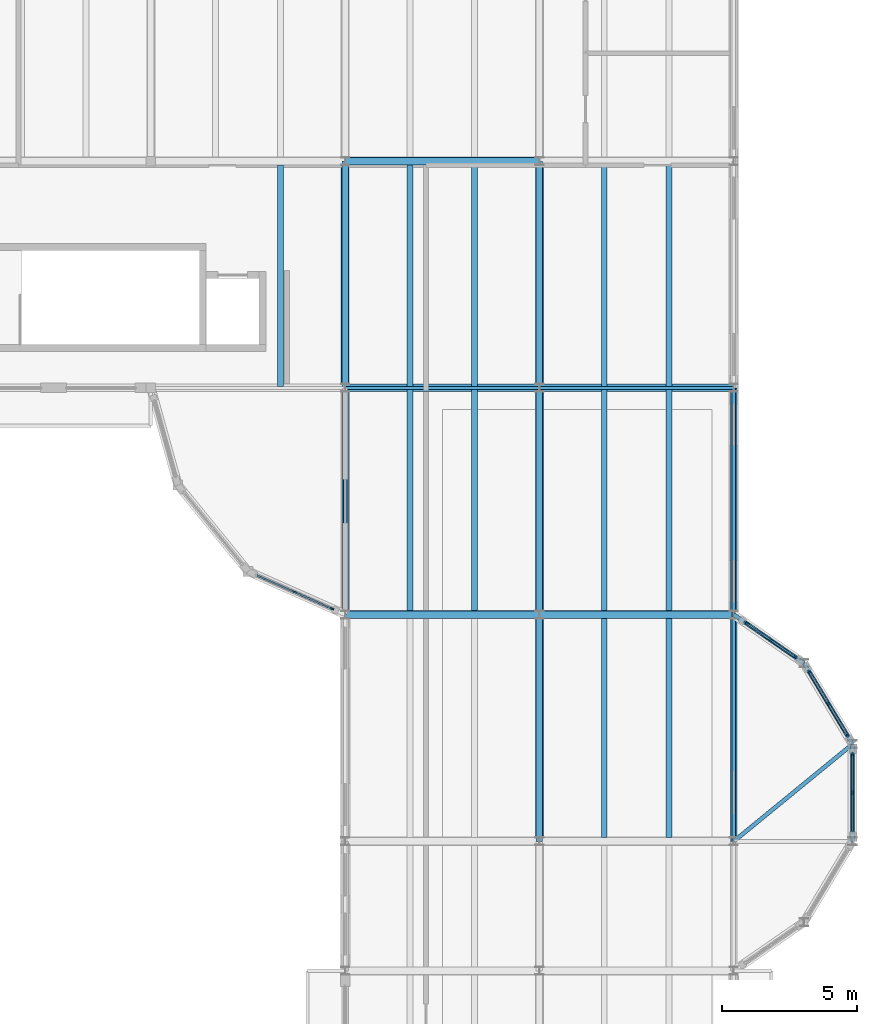
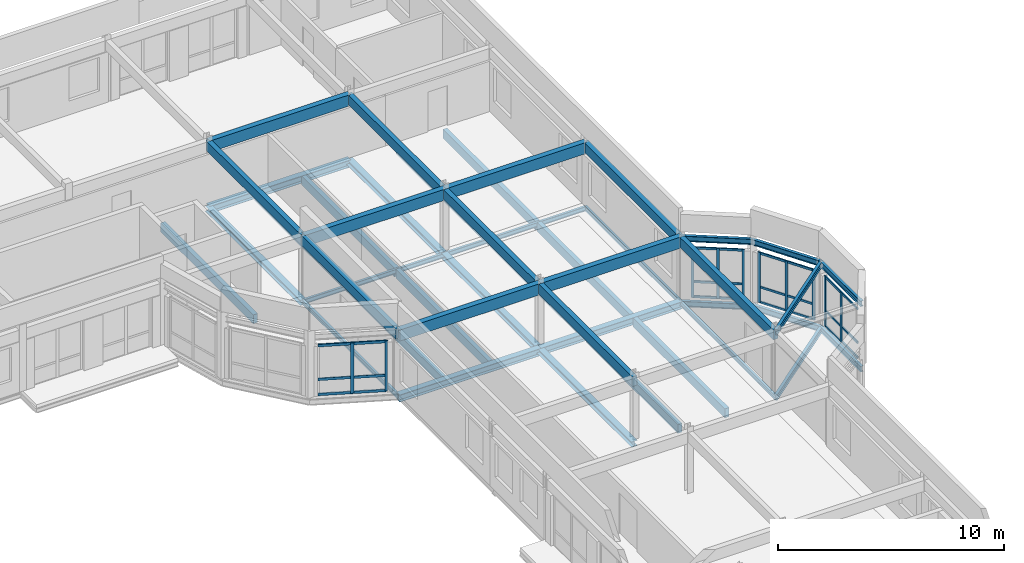
# One storey, part 11 of 21: 43 beams, 22 members, 4 elements without a shape of their own.
"""IFC4 building model written with IfcOpenShell, lengths in metres."""

import ifcopenshell
import ifcopenshell.guid

model = None  # the IFC model being written
_history = None  # IfcOwnerHistory: only IFC2X3 demands one
_inside = {}  # id of a spatial element -> (the spatial element, [elements in it])
_under = {}  # id of a project, library or spatial element -> (it, [spatial elements below it])
_declared = {}  # id of a project -> (the project, [libraries it declares])
_typed = {}  # id of a type object -> (the type object, [elements of that type])
_made_of = {}  # id of a material, layer set ... -> (it, [elements and type objects made of it])


def new_model(schema):
    """Start an empty IFC model of exactly this schema.

    Asked for "IFC4X3", IfcOpenShell would pick the latest addendum, in which some entities
    have other attributes; the version numbers below select the first issue.
    IFC2X3 requires an IfcOwnerHistory on every rooted entity: one is made here for all.
    """
    global model, _history
    if schema == "IFC4X3":
        model = ifcopenshell.file(schema_version=(4, 3, 0, 0))
    else:
        model = ifcopenshell.file(schema=schema)
    _inside.clear()
    _under.clear()
    _declared.clear()
    _typed.clear()
    _made_of.clear()
    _history = None
    if model.schema == "IFC2X3":
        org = make("IfcOrganization", Name="unknown")
        user = make(
            "IfcPersonAndOrganization",
            ThePerson=make("IfcPerson", FamilyName="unknown"),
            TheOrganization=org,
        )
        app = make(
            "IfcApplication",
            ApplicationDeveloper=org,
            Version="unknown",
            ApplicationFullName="unknown",
            ApplicationIdentifier="unknown",
        )
        _history = make(
            "IfcOwnerHistory",
            OwningUser=user,
            OwningApplication=app,
            ChangeAction="ADDED",
            CreationDate=0,
        )
    return model


def make(cls, **values):
    """One entity of the class cls with the attributes given. An attribute that is None is left unset."""
    return model.create_entity(
        cls, **{name: value for name, value in values.items() if value is not None}
    )


def rooted(cls, **values):
    """An entity with a GlobalId (a new one), such as an element, a storey or a relation."""
    return make(cls, GlobalId=ifcopenshell.guid.new(), OwnerHistory=_history, **values)


def si_unit(unit_type, name, prefix=None):
    """IfcSIUnit, for example si_unit("LENGTHUNIT", "METRE", prefix="MILLI")."""
    return make("IfcSIUnit", UnitType=unit_type, Prefix=prefix, Name=name)


def assignment(units):
    """IfcUnitAssignment: the units of a project."""
    return None if units is None else make("IfcUnitAssignment", Units=units)


def point(xyz):
    """IfcCartesianPoint."""
    return None if xyz is None else make("IfcCartesianPoint", Coordinates=xyz)


def direction(xyz):
    """IfcDirection."""
    return None if xyz is None else make("IfcDirection", DirectionRatios=xyz)


def frame(location, z_axis=None, x_axis=None):
    """IfcAxis2Placement3D, a coordinate frame: its origin and axes. An axis left out is left unset."""
    return make(
        "IfcAxis2Placement3D",
        Location=point(location),
        Axis=direction(z_axis),
        RefDirection=direction(x_axis),
    )


def frame_2d(location, x_axis=None):
    """IfcAxis2Placement2D, a coordinate frame in the plane: its origin and x axis."""
    return make(
        "IfcAxis2Placement2D", Location=point(location), RefDirection=direction(x_axis)
    )


def origin():
    """The frame at (0, 0, 0) with its axes left unset."""
    return frame((0.0, 0.0, 0.0))


def origin_2d():
    """The frame at (0, 0) in the plane with its x axis left unset."""
    return frame_2d((0.0, 0.0))


def place(relative_to, where):
    """IfcLocalPlacement: puts the frame where relative to a parent placement (None: the world)."""
    return make(
        "IfcLocalPlacement", PlacementRelTo=relative_to, RelativePlacement=where
    )


def context(
    kind, dimensions, precision=None, world=None, true_north=None, identifier=None
):
    """IfcGeometricRepresentationContext, for example the 3D "Model" context."""
    return make(
        "IfcGeometricRepresentationContext",
        ContextIdentifier=identifier,
        ContextType=kind,
        CoordinateSpaceDimension=dimensions,
        Precision=precision,
        WorldCoordinateSystem=world,
        TrueNorth=true_north,
    )


def subcontext(parent, identifier, kind, view, scale=None):
    """IfcGeometricRepresentationSubContext, for example "Body" below "Model"."""
    return make(
        "IfcGeometricRepresentationSubContext",
        ContextIdentifier=identifier,
        ContextType=kind,
        ParentContext=parent,
        TargetScale=scale,
        TargetView=view,
    )


def project(units=None, contexts=None):
    """IfcProject with its units and contexts."""
    return rooted(
        "IfcProject",
        Name="project",
        RepresentationContexts=contexts,
        UnitsInContext=assignment(units),
    )


def spatial(cls, under=None, at=None, **own):
    """A site, building, storey or space (cls), placed at a placement, below another one or the project."""
    s = rooted(cls, ObjectPlacement=at, **own)
    if under is not None:
        _under.setdefault(under.id(), (under, []))[1].append(s)
    return s


def profile(cls, at=None, kind="AREA", **sizes):
    """A parametric profile (cls). Its sizes go by their IFC names, for example OverallWidth=200.0."""
    return make(cls, ProfileType=kind, Position=at, **sizes)


def rectangle(**sizes):
    """IfcRectangleProfileDef."""
    return profile("IfcRectangleProfileDef", **sizes)


def i_section(**sizes):
    """IfcIShapeProfileDef."""
    return profile("IfcIShapeProfileDef", **sizes)


def extrude(swept, where, along, depth):
    """IfcExtrudedAreaSolid: the profile swept, set in the frame where, extruded along a direction by depth."""
    return make(
        "IfcExtrudedAreaSolid",
        SweptArea=swept,
        Position=where,
        ExtrudedDirection=direction(along),
        Depth=depth,
    )


def shape(context_of_items, identifier, shape_type, items):
    """IfcShapeRepresentation: the items that make up one representation, for example the "Body"."""
    return make(
        "IfcShapeRepresentation",
        ContextOfItems=context_of_items,
        RepresentationIdentifier=identifier,
        RepresentationType=shape_type,
        Items=items,
    )


def material(Name=None, Category=None):
    """IfcMaterial."""
    return make("IfcMaterial", Name=Name, Category=Category)


def material_profile(
    of_material, cross_section, Name=None, Category=None, Priority=None
):
    """IfcMaterialProfile: a cross section and its material."""
    return make(
        "IfcMaterialProfile",
        Name=Name,
        Material=of_material,
        Profile=cross_section,
        Priority=Priority,
        Category=Category,
    )


def profile_set(profiles, Name=None, composite=None):
    """IfcMaterialProfileSet."""
    return make(
        "IfcMaterialProfileSet",
        Name=Name,
        MaterialProfiles=profiles,
        CompositeProfile=composite,
    )


def made_of(thing, what):
    """Note that an element or type object is made of a material, layer set ...; save() writes the relation."""
    if what is not None:
        _made_of.setdefault(what.id(), (what, []))[1].append(thing)
    return thing


def type_object(cls, material=None, **own):
    """A type object (cls), such as IfcWallType, which elements share."""
    return made_of(rooted(cls, **own), material)


def element(
    cls,
    number,
    at=None,
    inside=None,
    cuts=None,
    type_object=None,
    material=None,
    context=None,
    identifier="Body",
    shape_type=None,
    held_by="IfcProductDefinitionShape",
    body=None,
    shapes=None,
    **own,
):
    """One element of the class cls, such as IfcWall. Its Tag is "e" and its number.

    at: its placement. inside: the storey or other place that contains it. cuts: it is an
    opening in that element (IfcRelVoidsElement). A single representation is given by context,
    identifier, shape_type and body (its items); several are given by shapes. held_by: the class
    of the entity that holds the representations. save() writes the other relations.
    """
    e = rooted(cls, Tag="e%d" % number, ObjectPlacement=at, **own)
    if body is not None:
        shapes = [shape(context, identifier, shape_type, body)]
    if shapes is not None:
        e.Representation = make(held_by, Representations=shapes)
    if inside is not None:
        _inside.setdefault(inside.id(), (inside, []))[1].append(e)
    if cuts is not None:
        rooted(
            "IfcRelVoidsElement", RelatingBuildingElement=cuts, RelatedOpeningElement=e
        )
    if type_object is not None:
        _typed.setdefault(type_object.id(), (type_object, []))[1].append(e)
    return made_of(e, material)


def aggregate(whole, parts):
    """IfcRelAggregates: a whole, such as a stair, and the parts it consists of."""
    return rooted("IfcRelAggregates", RelatingObject=whole, RelatedObjects=parts)


def save(model, path):
    """Write the relations noted so far, then the file.

    IfcRelAggregates (storeys below a building ...), IfcRelContainedInSpatialStructure (elements
    in a storey), IfcRelDefinesByType, IfcRelAssociatesMaterial and IfcRelDeclares: one each for
    every whole, place, type object, material and project.
    """
    for whole, parts in _under.values():
        aggregate(whole, parts)
    for where, things in _inside.values():
        rooted(
            "IfcRelContainedInSpatialStructure",
            RelatedElements=things,
            RelatingStructure=where,
        )
    for kind, things in _typed.values():
        rooted("IfcRelDefinesByType", RelatedObjects=things, RelatingType=kind)
    for what, things in _made_of.values():
        rooted("IfcRelAssociatesMaterial", RelatedObjects=things, RelatingMaterial=what)
    for by, libraries in _declared.values():
        rooted("IfcRelDeclares", RelatingContext=by, RelatedDefinitions=libraries)
    model.write(path)


model = new_model("IFC4")

# Units and contexts
model_context = context("Model", 3, precision=1e-05, world=origin(), true_north=direction((0.0, 1.0)))
body_context = subcontext(model_context, "Body", "Model", "MODEL_VIEW")
ifc_project = project(units=[si_unit("LENGTHUNIT", "METRE"), si_unit("AREAUNIT", "SQUARE_METRE"), si_unit("VOLUMEUNIT", "CUBIC_METRE"), si_unit("PLANEANGLEUNIT", "RADIAN"), si_unit("MASSUNIT", "GRAM", prefix="KILO")], contexts=[model_context])

# Site, building, storey
site_placement = place(None, origin())
site = spatial("IfcSite", under=ifc_project, at=site_placement, CompositionType="ELEMENT")
building_placement = place(site_placement, origin())
building = spatial("IfcBuilding", under=site, at=building_placement, Name="Kahlenmark Community Centre", CompositionType="ELEMENT")
storey_placement = place(building_placement, frame((0.0, 0.0, 21.60009765625)))
storey = spatial("IfcBuildingStorey", under=building, at=storey_placement, Name="L05", CompositionType="ELEMENT", Elevation=21.60009765625)

# Beams
ifc_material_1 = material(Name="Glulam GL32h", Category="wood")
ifc_material_profile_1 = material_profile(ifc_material_1, rectangle(XDim=0.239990234375, YDim=0.52001953125, at=origin_2d()), Name="GL32h 240x520")
ifc_profile_set_1 = profile_set([ifc_material_profile_1], Name="Glulam GL32h")
beam_type_1 = type_object("IfcBeamType", Name="BT-BEAM-GL32h240x520", PredefinedType="BEAM", material=ifc_profile_set_1)
for number, where, z_axis, x_axis, name in (
    (1, (72.39990234375, 97.60009765625, 3.059814453125), (0.0, 1.0, 0.0), (-1.0, 0.0, 0.0), "L05 beam BG-RF520"),
    (2, (79.60009765625, 97.60009765625, 3.059814453125), (0.0, 1.0, 0.0), (-1.0, 0.0, 0.0), "L05 beam BG-RF520"),
):
    element("IfcBeam", number, at=place(storey_placement, frame(where, z_axis=z_axis, x_axis=x_axis)), inside=storey, type_object=beam_type_1, Name=name, PredefinedType="BEAM", context=body_context, shape_type="SweptSolid", body=[
        extrude(rectangle(XDim=0.239990234375, YDim=0.52001953125, at=origin_2d()), origin(), (0.0, 0.0, 1.0), 8.39990234375),
    ])
beam_1_placement = place(storey_placement, frame((72.39990234375, 89.199951171875, 3.059814453125), z_axis=(0.0, 1.0, 0.0), x_axis=(-1.0, 0.0, 0.0)))
element("IfcBeam", 3, at=beam_1_placement, inside=storey, type_object=beam_type_1, Name="L05 beam BG-RF520", PredefinedType="BEAM", context=body_context, shape_type="SweptSolid", body=[
    extrude(rectangle(XDim=0.239990234375, YDim=0.52001953125, at=origin_2d()), origin(), (0.0, 0.0, 1.0), 8.400146484375),
])
beam_2_placement = place(storey_placement, frame((79.60009765625, 80.800048828125, 3.059814453125), z_axis=(0.0, 1.0, 0.0), x_axis=(-1.0, 0.0, 0.0)))
element("IfcBeam", 4, at=beam_2_placement, inside=storey, type_object=beam_type_1, Name="L05 beam BG-RF520", PredefinedType="BEAM", context=body_context, shape_type="SweptSolid", body=[
    extrude(rectangle(XDim=0.239990234375, YDim=0.52001953125, at=origin_2d()), origin(), (0.0, 0.0, 1.0), 8.39990234375),
])
beam_3_placement = place(storey_placement, frame((79.60009765625, 89.199951171875, 3.059814453125), z_axis=(0.0, 1.0, 0.0), x_axis=(-1.0, 0.0, 0.0)))
element("IfcBeam", 5, at=beam_3_placement, inside=storey, type_object=beam_type_1, Name="L05 beam BG-RF520", PredefinedType="BEAM", context=body_context, shape_type="SweptSolid", body=[
    extrude(rectangle(XDim=0.239990234375, YDim=0.52001953125, at=origin_2d()), origin(), (0.0, 0.0, 1.0), 8.400146484375),
])
beam_4_placement = place(storey_placement, frame((86.800048828125, 80.800048828125, 3.059814453125), z_axis=(0.0, 1.0, 0.0), x_axis=(-1.0, 0.0, 0.0)))
element("IfcBeam", 6, at=beam_4_placement, inside=storey, type_object=beam_type_1, Name="L05 beam BG-RF520", PredefinedType="BEAM", context=body_context, shape_type="SweptSolid", body=[
    extrude(rectangle(XDim=0.239990234375, YDim=0.52001953125, at=origin_2d()), origin(), (0.0, 0.0, 1.0), 8.39990234375),
])
beam_5_placement = place(storey_placement, frame((86.800048828125, 89.199951171875, 3.059814453125), z_axis=(0.0, 1.0, 0.0), x_axis=(-1.0, 0.0, 0.0)))
element("IfcBeam", 7, at=beam_5_placement, inside=storey, type_object=beam_type_1, Name="L05 beam BG-RF520", PredefinedType="BEAM", context=body_context, shape_type="SweptSolid", body=[
    extrude(rectangle(XDim=0.239990234375, YDim=0.52001953125, at=origin_2d()), origin(), (0.0, 0.0, 1.0), 8.400146484375),
])
ifc_material_profile_2 = material_profile(ifc_material_1, rectangle(XDim=0.280029296875, YDim=0.60009765625, at=origin_2d()), Name="GL32h 280x600")
ifc_profile_set_2 = profile_set([ifc_material_profile_2], Name="Glulam GL32h")
beam_type_2 = type_object("IfcBeamType", Name="BT-BEAM-GL32h280x600", PredefinedType="BEAM", material=ifc_profile_set_2)
beam_6_placement = place(storey_placement, frame((72.39990234375, 97.60009765625, 3.02001953125), z_axis=(1.0, 0.0, 0.0), x_axis=(0.0, 1.0, 0.0)))
element("IfcBeam", 8, at=beam_6_placement, inside=storey, type_object=beam_type_2, Name="L05 beam BG-RF600", PredefinedType="BEAM", context=body_context, shape_type="SweptSolid", body=[
    extrude(rectangle(XDim=0.280029296875, YDim=0.60009765625, at=origin_2d()), origin(), (0.0, 0.0, 1.0), 7.2001953125),
])
beam_7_placement = place(storey_placement, frame((79.60009765625, 97.60009765625, 3.02001953125), z_axis=(1.0, 0.0, 0.0), x_axis=(0.0, 1.0, 0.0)))
element("IfcBeam", 9, at=beam_7_placement, inside=storey, type_object=beam_type_2, Name="L05 beam BG-RF600", PredefinedType="BEAM", context=body_context, shape_type="SweptSolid", body=[
    extrude(rectangle(XDim=0.280029296875, YDim=0.60009765625, at=origin_2d()), origin(), (0.0, 0.0, 1.0), 7.199951171875),
])
for number, where, z_axis, x_axis, name in (
    (10, (72.39990234375, 106.0, 3.02001953125), (1.0, 0.0, 0.0), (0.0, 1.0, 0.0), "L05 beam BG-RF600"),
    (11, (72.39990234375, 89.199951171875, 3.02001953125), (1.0, 0.0, 0.0), (0.0, 1.0, 0.0), "L05 beam BG-RF600"),
):
    element("IfcBeam", number, at=place(storey_placement, frame(where, z_axis=z_axis, x_axis=x_axis)), inside=storey, type_object=beam_type_2, Name=name, PredefinedType="BEAM", context=body_context, shape_type="SweptSolid", body=[
        extrude(rectangle(XDim=0.280029296875, YDim=0.60009765625, at=origin_2d()), origin(), (0.0, 0.0, 1.0), 7.2001953125),
    ])
beam_8_placement = place(storey_placement, frame((79.60009765625, 89.199951171875, 3.02001953125), z_axis=(1.0, 0.0, 0.0), x_axis=(0.0, 1.0, 0.0)))
element("IfcBeam", 12, at=beam_8_placement, inside=storey, type_object=beam_type_2, Name="L05 beam BG-RF600", PredefinedType="BEAM", context=body_context, shape_type="SweptSolid", body=[
    extrude(rectangle(XDim=0.280029296875, YDim=0.60009765625, at=origin_2d()), origin(), (0.0, 0.0, 1.0), 7.199951171875),
])
ifc_material_2 = material(Name="Steel S355", Category="steel")
ifc_material_profile_3 = material_profile(ifc_material_2, i_section(OverallWidth=0.300048828125, OverallDepth=0.2900390625, WebThickness=0.008544921875, FlangeThickness=0.013916015625, at=origin_2d()), Name="HEA 300")
ifc_profile_set_3 = profile_set([ifc_material_profile_3], Name="Steel S355")
beam_type_3 = type_object("IfcBeamType", Name="BT-BEAM-HEA300", PredefinedType="BEAM", material=ifc_profile_set_3)
for number, where, z_axis, x_axis, name in (
    (13, (72.39990234375, 97.60009765625, -0.34521484375), (0.0, 1.0, 0.0), (-1.0, 0.0, 0.0), "L05 beam BG-HEA300"),
    (14, (79.60009765625, 97.60009765625, -0.34521484375), (0.0, 1.0, 0.0), (-1.0, 0.0, 0.0), "L05 beam BG-HEA300"),
    (15, (79.60009765625, 80.800048828125, -0.3251953125), (0.0, 1.0, 0.0), (-1.0, 0.0, 0.0), "L05 beam BG-HEA300"),
):
    element("IfcBeam", number, at=place(storey_placement, frame(where, z_axis=z_axis, x_axis=x_axis)), inside=storey, type_object=beam_type_3, Name=name, PredefinedType="BEAM", context=body_context, shape_type="SweptSolid", body=[
        extrude(i_section(OverallWidth=0.300048828125, OverallDepth=0.2900390625, WebThickness=0.008544921875, FlangeThickness=0.013916015625, at=origin_2d()), origin(), (0.0, 0.0, 1.0), 8.39990234375),
    ])
beam_9_placement = place(storey_placement, frame((79.60009765625, 89.199951171875, -0.3251953125), z_axis=(0.0, 1.0, 0.0), x_axis=(-1.0, 0.0, 0.0)))
element("IfcBeam", 16, at=beam_9_placement, inside=storey, type_object=beam_type_3, Name="L05 beam BG-HEA300", PredefinedType="BEAM", context=body_context, shape_type="SweptSolid", body=[
    extrude(i_section(OverallWidth=0.300048828125, OverallDepth=0.2900390625, WebThickness=0.008544921875, FlangeThickness=0.013916015625, at=origin_2d()), origin(), (0.0, 0.0, 1.0), 8.400146484375),
])
ifc_material_profile_4 = material_profile(ifc_material_2, i_section(OverallWidth=0.300048828125, OverallDepth=0.389892578125, WebThickness=0.010986328125, FlangeThickness=0.01904296875, at=origin_2d()), Name="HEA 400")
ifc_profile_set_4 = profile_set([ifc_material_profile_4], Name="Steel S355")
beam_type_4 = type_object("IfcBeamType", Name="BT-BEAM-HEA400", PredefinedType="BEAM", material=ifc_profile_set_4)
for number, where, z_axis, x_axis, name in (
    (17, (72.39990234375, 106.0, -0.39501953125), (1.0, 0.0, 0.0), (0.0, 1.0, 0.0), "L05 beam BG-HEA400"),
    (18, (72.39990234375, 89.199951171875, -0.375), (1.0, 0.0, 0.0), (0.0, 1.0, 0.0), "L05 beam BG-HEA400"),
):
    element("IfcBeam", number, at=place(storey_placement, frame(where, z_axis=z_axis, x_axis=x_axis)), inside=storey, type_object=beam_type_4, Name=name, PredefinedType="BEAM", context=body_context, shape_type="SweptSolid", body=[
        extrude(i_section(OverallWidth=0.300048828125, OverallDepth=0.389892578125, WebThickness=0.010986328125, FlangeThickness=0.01904296875, at=origin_2d()), origin(), (0.0, 0.0, 1.0), 7.2001953125),
    ])
beam_10_placement = place(storey_placement, frame((79.60009765625, 89.199951171875, -0.375), z_axis=(1.0, 0.0, 0.0), x_axis=(0.0, 1.0, 0.0)))
element("IfcBeam", 19, at=beam_10_placement, inside=storey, type_object=beam_type_4, Name="L05 beam BG-HEA400", PredefinedType="BEAM", context=body_context, shape_type="SweptSolid", body=[
    extrude(i_section(OverallWidth=0.300048828125, OverallDepth=0.389892578125, WebThickness=0.010986328125, FlangeThickness=0.01904296875, at=origin_2d()), origin(), (0.0, 0.0, 1.0), 7.199951171875),
])
ifc_material_profile_5 = material_profile(ifc_material_2, i_section(OverallWidth=0.14990234375, OverallDepth=0.300048828125, WebThickness=0.007080078125, FlangeThickness=0.0107421875, at=origin_2d()), Name="IPE 300")
ifc_profile_set_5 = profile_set([ifc_material_profile_5], Name="Steel S355")
beam_type_5 = type_object("IfcBeamType", Name="BT-BEAM-IPE300", PredefinedType="BEAM", material=ifc_profile_set_5)
for number, where, z_axis, x_axis, name in (
    (20, (91.199951171875, 84.39990234375, -0.35009765625), (-0.773963039406, -0.633230774389, 0.0), (0.633230774389, -0.773963039406, 0.0), "L05 beam BG-IPE300"),
    (21, (91.199951171875, 84.39990234375, 3.169921875), (-0.773963039406, -0.633230774389, 0.0), (0.633230774389, -0.773963039406, 0.0), "L05 beam BG-IPE300"),
):
    element("IfcBeam", number, at=place(storey_placement, frame(where, z_axis=z_axis, x_axis=x_axis)), inside=storey, type_object=beam_type_5, Name=name, PredefinedType="BEAM", context=body_context, shape_type="SweptSolid", body=[
        extrude(i_section(OverallWidth=0.14990234375, OverallDepth=0.300048828125, WebThickness=0.007080078125, FlangeThickness=0.0107421875, at=origin_2d()), origin(), (0.0, 0.0, 1.0), 5.684814453125),
    ])
ifc_material_3 = material(Name="Glulam GL28h", Category="wood")
ifc_material_profile_6 = material_profile(ifc_material_3, rectangle(XDim=0.219970703125, YDim=0.47998046875, at=origin_2d()), Name="GL28h 220x480")
ifc_profile_set_6 = profile_set([ifc_material_profile_6], Name="Glulam GL28h")
beam_type_6 = type_object("IfcBeamType", Name="BT-JOIST-GL28h220x480", PredefinedType="JOIST", material=ifc_profile_set_6)
for number, where, z_axis, x_axis, name in (
    (22, (70.0, 97.657958984375, -0.440185546875), (0.0, 1.0, 0.0), (-1.0, 0.0, 0.0), "L05 joist BJ-GL28h220x480"),
    (23, (74.800048828125, 97.657958984375, -0.440185546875), (0.0, 1.0, 0.0), (-1.0, 0.0, 0.0), "L05 joist BJ-GL28h220x480"),
    (24, (77.199951171875, 97.657958984375, -0.440185546875), (0.0, 1.0, 0.0), (-1.0, 0.0, 0.0), "L05 joist BJ-GL28h220x480"),
    (25, (82.0, 97.657958984375, -0.440185546875), (0.0, 1.0, 0.0), (-1.0, 0.0, 0.0), "L05 joist BJ-GL28h220x480"),
    (26, (84.39990234375, 97.657958984375, -0.440185546875), (0.0, 1.0, 0.0), (-1.0, 0.0, 0.0), "L05 joist BJ-GL28h220x480"),
    (27, (74.800048828125, 89.347900390625, -0.420166015625), (0.0, 1.0, 0.0), (-1.0, 0.0, 0.0), "L05 joist BJ-GL28h220x480"),
    (28, (77.199951171875, 89.347900390625, -0.420166015625), (0.0, 1.0, 0.0), (-1.0, 0.0, 0.0), "L05 joist BJ-GL28h220x480"),
):
    element("IfcBeam", number, at=place(storey_placement, frame(where, z_axis=z_axis, x_axis=x_axis)), inside=storey, type_object=beam_type_6, Name=name, PredefinedType="JOIST", context=body_context, shape_type="SweptSolid", body=[
        extrude(rectangle(XDim=0.219970703125, YDim=0.47998046875, at=origin_2d()), origin(), (0.0, 0.0, 1.0), 8.194091796875),
    ])
for number, where, z_axis, x_axis, name in (
    (29, (82.0, 80.947998046875, -0.420166015625), (0.0, 1.0, 0.0), (-1.0, 0.0, 0.0), "L05 joist BJ-GL28h220x480"),
    (30, (84.39990234375, 80.947998046875, -0.420166015625), (0.0, 1.0, 0.0), (-1.0, 0.0, 0.0), "L05 joist BJ-GL28h220x480"),
):
    element("IfcBeam", number, at=place(storey_placement, frame(where, z_axis=z_axis, x_axis=x_axis)), inside=storey, type_object=beam_type_6, Name=name, PredefinedType="JOIST", context=body_context, shape_type="SweptSolid", body=[
        extrude(rectangle(XDim=0.219970703125, YDim=0.47998046875, at=origin_2d()), origin(), (0.0, 0.0, 1.0), 8.10400390625),
    ])
for number, where, z_axis, x_axis, name in (
    (31, (82.0, 89.347900390625, -0.420166015625), (0.0, 1.0, 0.0), (-1.0, 0.0, 0.0), "L05 joist BJ-GL28h220x480"),
    (32, (84.39990234375, 89.347900390625, -0.420166015625), (0.0, 1.0, 0.0), (-1.0, 0.0, 0.0), "L05 joist BJ-GL28h220x480"),
):
    element("IfcBeam", number, at=place(storey_placement, frame(where, z_axis=z_axis, x_axis=x_axis)), inside=storey, type_object=beam_type_6, Name=name, PredefinedType="JOIST", context=body_context, shape_type="SweptSolid", body=[
        extrude(rectangle(XDim=0.219970703125, YDim=0.47998046875, at=origin_2d()), origin(), (0.0, 0.0, 1.0), 8.194091796875),
    ])
ifc_material_profile_7 = material_profile(ifc_material_2, i_section(OverallWidth=0.1201171875, OverallDepth=0.239990234375, WebThickness=0.006103515625, FlangeThickness=0.009765625, at=origin_2d()), Name="IPE 240")
ifc_profile_set_7 = profile_set([ifc_material_profile_7], Name="Steel S355")
beam_type_7 = type_object("IfcBeamType", Name="BT-SPANDREL-IPE240", PredefinedType="SPANDREL", material=ifc_profile_set_7)
beam_11_placement = place(storey_placement, frame((72.39990234375, 97.60009765625, -0.320068359375), z_axis=(1.0, 0.0, 0.0), x_axis=(0.0, 1.0, 0.0)))
element("IfcBeam", 33, at=beam_11_placement, inside=storey, type_object=beam_type_7, Name="L05 spandrel SP-IPE240", PredefinedType="SPANDREL", context=body_context, shape_type="SweptSolid", body=[
    extrude(i_section(OverallWidth=0.1201171875, OverallDepth=0.239990234375, WebThickness=0.006103515625, FlangeThickness=0.009765625, at=origin_2d()), origin(), (0.0, 0.0, 1.0), 7.2001953125),
])
beam_12_placement = place(storey_placement, frame((79.60009765625, 97.60009765625, -0.320068359375), z_axis=(1.0, 0.0, 0.0), x_axis=(0.0, 1.0, 0.0)))
element("IfcBeam", 34, at=beam_12_placement, inside=storey, type_object=beam_type_7, Name="L05 spandrel SP-IPE240", PredefinedType="SPANDREL", context=body_context, shape_type="SweptSolid", body=[
    extrude(i_section(OverallWidth=0.1201171875, OverallDepth=0.239990234375, WebThickness=0.006103515625, FlangeThickness=0.009765625, at=origin_2d()), origin(), (0.0, 0.0, 1.0), 7.199951171875),
])
beam_13_placement = place(storey_placement, frame((72.39990234375, 89.199951171875, -0.320068359375), z_axis=(0.0, 1.0, 0.0), x_axis=(-1.0, 0.0, 0.0)))
element("IfcBeam", 35, at=beam_13_placement, inside=storey, type_object=beam_type_7, Name="L05 spandrel SP-IPE240", PredefinedType="SPANDREL", context=body_context, shape_type="SweptSolid", body=[
    extrude(i_section(OverallWidth=0.1201171875, OverallDepth=0.239990234375, WebThickness=0.006103515625, FlangeThickness=0.009765625, at=origin_2d()), origin(), (0.0, 0.0, 1.0), 8.400146484375),
])
beam_14_placement = place(storey_placement, frame((86.800048828125, 80.800048828125, -0.320068359375), z_axis=(0.0, 1.0, 0.0), x_axis=(-1.0, 0.0, 0.0)))
element("IfcBeam", 36, at=beam_14_placement, inside=storey, type_object=beam_type_7, Name="L05 spandrel SP-IPE240", PredefinedType="SPANDREL", context=body_context, shape_type="SweptSolid", body=[
    extrude(i_section(OverallWidth=0.1201171875, OverallDepth=0.239990234375, WebThickness=0.006103515625, FlangeThickness=0.009765625, at=origin_2d()), origin(), (0.0, 0.0, 1.0), 8.39990234375),
])
beam_15_placement = place(storey_placement, frame((86.800048828125, 89.199951171875, -0.300048828125), z_axis=(0.0, 1.0, 0.0), x_axis=(-1.0, 0.0, 0.0)))
element("IfcBeam", 37, at=beam_15_placement, inside=storey, type_object=beam_type_7, Name="L05 spandrel SP-IPE240", PredefinedType="SPANDREL", context=body_context, shape_type="SweptSolid", body=[
    extrude(i_section(OverallWidth=0.1201171875, OverallDepth=0.239990234375, WebThickness=0.006103515625, FlangeThickness=0.009765625, at=origin_2d()), origin(), (0.0, 0.0, 1.0), 8.400146484375),
])
ifc_material_profile_8 = material_profile(ifc_material_2, i_section(OverallWidth=0.14990234375, OverallDepth=0.300048828125, WebThickness=0.007080078125, FlangeThickness=0.0107421875, at=origin_2d()), Name="IPE 300")
ifc_profile_set_8 = profile_set([ifc_material_profile_8], Name="Steel S355")
beam_type_8 = type_object("IfcBeamType", Name="BT-SPANDREL-IPE300", PredefinedType="SPANDREL", material=ifc_profile_set_8)
beam_16_placement = place(storey_placement, frame((91.199951171875, 80.800048828125, -0.35009765625), z_axis=(0.0, 1.0, 0.0), x_axis=(-1.0, 0.0, 0.0)))
element("IfcBeam", 38, at=beam_16_placement, inside=storey, type_object=beam_type_8, Name="L05 spandrel SP-IPE300", PredefinedType="SPANDREL", context=body_context, shape_type="SweptSolid", body=[
    extrude(i_section(OverallWidth=0.14990234375, OverallDepth=0.300048828125, WebThickness=0.007080078125, FlangeThickness=0.0107421875, at=origin_2d()), origin(), (0.0, 0.0, 1.0), 3.599853515625),
])
beam_17_placement = place(storey_placement, frame((91.199951171875, 84.39990234375, -0.35009765625), z_axis=(-0.514506017516, 0.857486768376, 0.0), x_axis=(-0.857486768376, -0.514506017516, 0.0)))
element("IfcBeam", 39, at=beam_17_placement, inside=storey, type_object=beam_type_8, Name="L05 spandrel SP-IPE300", PredefinedType="SPANDREL", context=body_context, shape_type="SweptSolid", body=[
    extrude(i_section(OverallWidth=0.14990234375, OverallDepth=0.300048828125, WebThickness=0.007080078125, FlangeThickness=0.0107421875, at=origin_2d()), origin(), (0.0, 0.0, 1.0), 3.49853515625),
])
beam_18_placement = place(storey_placement, frame((89.39990234375, 87.39990234375, -0.35009765625), z_axis=(-0.8221699556, 0.569242096219, 0.0), x_axis=(-0.569242096219, -0.8221699556, 0.0)))
element("IfcBeam", 40, at=beam_18_placement, inside=storey, type_object=beam_type_8, Name="L05 spandrel SP-IPE300", PredefinedType="SPANDREL", context=body_context, shape_type="SweptSolid", body=[
    extrude(i_section(OverallWidth=0.14990234375, OverallDepth=0.300048828125, WebThickness=0.007080078125, FlangeThickness=0.0107421875, at=origin_2d()), origin(), (0.0, 0.0, 1.0), 3.162109375),
])
beam_19_placement = place(storey_placement, frame((91.199951171875, 80.800048828125, 3.169921875), z_axis=(0.0, 1.0, 0.0), x_axis=(-1.0, 0.0, 0.0)))
element("IfcBeam", 41, at=beam_19_placement, inside=storey, type_object=beam_type_8, Name="L05 spandrel SP-IPE300", PredefinedType="SPANDREL", context=body_context, shape_type="SweptSolid", body=[
    extrude(i_section(OverallWidth=0.14990234375, OverallDepth=0.300048828125, WebThickness=0.007080078125, FlangeThickness=0.0107421875, at=origin_2d()), origin(), (0.0, 0.0, 1.0), 3.599853515625),
])
beam_20_placement = place(storey_placement, frame((91.199951171875, 84.39990234375, 3.169921875), z_axis=(-0.514506017516, 0.857486768376, 0.0), x_axis=(-0.857486768376, -0.514506017516, 0.0)))
element("IfcBeam", 42, at=beam_20_placement, inside=storey, type_object=beam_type_8, Name="L05 spandrel SP-IPE300", PredefinedType="SPANDREL", context=body_context, shape_type="SweptSolid", body=[
    extrude(i_section(OverallWidth=0.14990234375, OverallDepth=0.300048828125, WebThickness=0.007080078125, FlangeThickness=0.0107421875, at=origin_2d()), origin(), (0.0, 0.0, 1.0), 3.49853515625),
])
beam_21_placement = place(storey_placement, frame((89.39990234375, 87.39990234375, 3.169921875), z_axis=(-0.8221699556, 0.569242096219, 0.0), x_axis=(-0.569242096219, -0.8221699556, 0.0)))
element("IfcBeam", 43, at=beam_21_placement, inside=storey, type_object=beam_type_8, Name="L05 spandrel SP-IPE300", PredefinedType="SPANDREL", context=body_context, shape_type="SweptSolid", body=[
    extrude(i_section(OverallWidth=0.14990234375, OverallDepth=0.300048828125, WebThickness=0.007080078125, FlangeThickness=0.0107421875, at=origin_2d()), origin(), (0.0, 0.0, 1.0), 3.162109375),
])

# Curtain wall, members
ifc_material_4 = material(Name="Anodised aluminium unitised curtain wall", Category="aluminium")
curtain_wall_type_1 = type_object("IfcCurtainWallType", Name="CWT-UNIT-292X271", PredefinedType="USERDEFINED", material=ifc_material_4)
curtain_wall_1_placement = place(storey_placement, origin())
curtain_wall_1 = element("IfcCurtainWall", 44, at=curtain_wall_1_placement, inside=storey, type_object=curtain_wall_type_1, Name="Unitised curtain wall CW-173", ObjectType="UNITISED CURTAIN WALL", PredefinedType="USERDEFINED")
ifc_material_5 = material(Name="Anodised aluminium 6063-T6", Category="aluminium")
ifc_material_profile_9 = material_profile(ifc_material_5, rectangle(XDim=0.06005859375, YDim=0.139892578125, at=origin_2d()), Name="ALU MULLION 60x140")
ifc_profile_set_9 = profile_set([ifc_material_profile_9], Name="Anodised aluminium 6063-T6")
member_type_1 = type_object("IfcMemberType", Name="MT-MUL-140", PredefinedType="MULLION", material=ifc_profile_set_9)
member_1_placement = place(storey_placement, frame((91.199951171875, 82.60009765625, 0.0), z_axis=(0.0, 0.0, 1.0), x_axis=(-1.0, 0.0, 0.0)))
member_1 = element("IfcMember", 45, at=member_1_placement, type_object=member_type_1, Name="CW-173 mullion 2", PredefinedType="MULLION", context=body_context, shape_type="SweptSolid", body=[
    extrude(rectangle(XDim=0.06005859375, YDim=0.139892578125, at=origin_2d()), origin(), (0.0, 0.0, 1.0), 2.7099609375),
])
member_2_placement = place(storey_placement, frame((91.199951171875, 84.030029296875, 0.0), z_axis=(0.0, 0.0, 1.0), x_axis=(-1.0, 0.0, 0.0)))
member_2 = element("IfcMember", 46, at=member_2_placement, type_object=member_type_1, Name="CW-173 mullion 3", PredefinedType="MULLION", context=body_context, shape_type="SweptSolid", body=[
    extrude(rectangle(XDim=0.06005859375, YDim=0.139892578125, at=origin_2d()), origin(), (0.0, 0.0, 1.0), 2.7099609375),
])

curtain_wall_type_2 = type_object("IfcCurtainWallType", Name="CWT-UNIT-282X271", PredefinedType="USERDEFINED", material=ifc_material_4)
curtain_wall_2_placement = place(storey_placement, origin())
curtain_wall_2 = element("IfcCurtainWall", 47, at=curtain_wall_2_placement, inside=storey, type_object=curtain_wall_type_2, Name="Unitised curtain wall CW-174", ObjectType="UNITISED CURTAIN WALL", PredefinedType="USERDEFINED")
member_3_placement = place(storey_placement, frame((91.009765625, 84.71728515625, 0.0), z_axis=(0.0, 0.0, 1.0), x_axis=(-0.857492535386, -0.514496405972, 0.0)))
member_3 = element("IfcMember", 48, at=member_3_placement, type_object=member_type_1, Name="CW-174 mullion 1", PredefinedType="MULLION", context=body_context, shape_type="SweptSolid", body=[
    extrude(rectangle(XDim=0.06005859375, YDim=0.139892578125, at=origin_2d()), origin(), (0.0, 0.0, 1.0), 2.7099609375),
])
member_4_placement = place(storey_placement, frame((90.300048828125, 85.89990234375, 0.0), z_axis=(0.0, 0.0, 1.0), x_axis=(-0.857492535386, -0.514496405972, 0.0)))
member_4 = element("IfcMember", 49, at=member_4_placement, type_object=member_type_1, Name="CW-174 mullion 2", PredefinedType="MULLION", context=body_context, shape_type="SweptSolid", body=[
    extrude(rectangle(XDim=0.06005859375, YDim=0.139892578125, at=origin_2d()), origin(), (0.0, 0.0, 1.0), 2.7099609375),
])
member_5_placement = place(storey_placement, frame((89.59033203125, 87.082763671875, 0.0), z_axis=(0.0, 0.0, 1.0), x_axis=(-0.857492535386, -0.514496405972, 0.0)))
member_5 = element("IfcMember", 50, at=member_5_placement, type_object=member_type_1, Name="CW-174 mullion 3", PredefinedType="MULLION", context=body_context, shape_type="SweptSolid", body=[
    extrude(rectangle(XDim=0.06005859375, YDim=0.139892578125, at=origin_2d()), origin(), (0.0, 0.0, 1.0), 2.7099609375),
])

curtain_wall_type_3 = type_object("IfcCurtainWallType", Name="CWT-UNIT-232X271", PredefinedType="USERDEFINED", material=ifc_material_4)
curtain_wall_3_placement = place(storey_placement, origin())
curtain_wall_3 = element("IfcCurtainWall", 51, at=curtain_wall_3_placement, inside=storey, type_object=curtain_wall_type_3, Name="Unitised curtain wall CW-175", ObjectType="UNITISED CURTAIN WALL", PredefinedType="USERDEFINED")
member_6_placement = place(storey_placement, frame((89.095703125, 87.610595703125, 0.0), z_axis=(0.0, 0.0, 1.0), x_axis=(-0.56921208065, -0.822190736534, 0.0)))
member_6 = element("IfcMember", 52, at=member_6_placement, type_object=member_type_1, Name="CW-175 mullion 1", PredefinedType="MULLION", context=body_context, shape_type="SweptSolid", body=[
    extrude(rectangle(XDim=0.06005859375, YDim=0.139892578125, at=origin_2d()), origin(), (0.0, 0.0, 1.0), 2.7099609375),
])
member_7_placement = place(storey_placement, frame((88.165771484375, 88.25439453125, 0.0), z_axis=(0.0, 0.0, 1.0), x_axis=(-0.56921208065, -0.822190736534, 0.0)))
member_7 = element("IfcMember", 53, at=member_7_placement, type_object=member_type_1, Name="CW-175 mullion 2", PredefinedType="MULLION", context=body_context, shape_type="SweptSolid", body=[
    extrude(rectangle(XDim=0.06005859375, YDim=0.139892578125, at=origin_2d()), origin(), (0.0, 0.0, 1.0), 2.7099609375),
])
member_8_placement = place(storey_placement, frame((87.23583984375, 88.898193359375, 0.0), z_axis=(0.0, 0.0, 1.0), x_axis=(-0.56921208065, -0.822190736534, 0.0)))
member_8 = element("IfcMember", 54, at=member_8_placement, type_object=member_type_1, Name="CW-175 mullion 3", PredefinedType="MULLION", context=body_context, shape_type="SweptSolid", body=[
    extrude(rectangle(XDim=0.06005859375, YDim=0.139892578125, at=origin_2d()), origin(), (0.0, 0.0, 1.0), 2.7099609375),
])

curtain_wall_type_4 = type_object("IfcCurtainWallType", Name="CWT-UNIT-310X271", PredefinedType="USERDEFINED", material=ifc_material_4)
curtain_wall_4_placement = place(storey_placement, origin())
curtain_wall_4 = element("IfcCurtainWall", 55, at=curtain_wall_4_placement, inside=storey, type_object=curtain_wall_type_4, Name="Unitised curtain wall CW-190", ObjectType="UNITISED CURTAIN WALL", PredefinedType="USERDEFINED")
member_9_placement = place(storey_placement, frame((70.52685546875, 90.032470703125, 0.0), z_axis=(0.0, 0.0, 1.0), x_axis=(0.406125882643, 0.913817141143, 0.0)))
member_9 = element("IfcMember", 56, at=member_9_placement, type_object=member_type_1, Name="CW-190 mullion 2", PredefinedType="MULLION", context=body_context, shape_type="SweptSolid", body=[
    extrude(rectangle(XDim=0.06005859375, YDim=0.139892578125, at=origin_2d()), origin(), (0.0, 0.0, 1.0), 2.7099609375),
])
member_10_placement = place(storey_placement, frame((71.915771484375, 89.415283203125, 0.0), z_axis=(0.0, 0.0, 1.0), x_axis=(0.406125882643, 0.913817141143, 0.0)))
member_10 = element("IfcMember", 57, at=member_10_placement, type_object=member_type_1, Name="CW-190 mullion 3", PredefinedType="MULLION", context=body_context, shape_type="SweptSolid", body=[
    extrude(rectangle(XDim=0.06005859375, YDim=0.139892578125, at=origin_2d()), origin(), (0.0, 0.0, 1.0), 2.7099609375),
])

# Member
ifc_material_profile_10 = material_profile(ifc_material_5, rectangle(XDim=0.06005859375, YDim=0.1201171875, at=origin_2d()), Name="ALU TRANSOM 60x120")
ifc_profile_set_10 = profile_set([ifc_material_profile_10], Name="Anodised aluminium 6063-T6")
member_type_2 = type_object("IfcMemberType", Name="MT-TRN-120", PredefinedType="USERDEFINED", material=ifc_profile_set_10)
member_11_placement = place(storey_placement, frame((91.199951171875, 81.169921875, 0.039794921875), z_axis=(0.0, 1.0, 0.0), x_axis=(-1.0, 0.0, 0.0)))
member_11 = element("IfcMember", 58, at=member_11_placement, type_object=member_type_2, Name="CW-173 transom 1", ObjectType="TRANSOM", PredefinedType="USERDEFINED", context=body_context, shape_type="SweptSolid", body=[
    extrude(rectangle(XDim=0.06005859375, YDim=0.1201171875, at=origin_2d()), origin(), (0.0, 0.0, 1.0), 2.860107421875),
])

member_12_placement = place(storey_placement, frame((91.199951171875, 81.169921875, 0.849853515625), z_axis=(0.0, 1.0, 0.0), x_axis=(-1.0, 0.0, 0.0)))
member_12 = element("IfcMember", 59, at=member_12_placement, type_object=member_type_2, Name="CW-173 transom 2", ObjectType="TRANSOM", PredefinedType="USERDEFINED", context=body_context, shape_type="SweptSolid", body=[
    extrude(rectangle(XDim=0.06005859375, YDim=0.1201171875, at=origin_2d()), origin(), (0.0, 0.0, 1.0), 2.860107421875),
])

member_13_placement = place(storey_placement, frame((91.199951171875, 81.169921875, 2.669921875), z_axis=(0.0, 1.0, 0.0), x_axis=(-1.0, 0.0, 0.0)))
member_13 = element("IfcMember", 60, at=member_13_placement, type_object=member_type_2, Name="CW-173 transom 3", ObjectType="TRANSOM", PredefinedType="USERDEFINED", context=body_context, shape_type="SweptSolid", body=[
    extrude(rectangle(XDim=0.06005859375, YDim=0.1201171875, at=origin_2d()), origin(), (0.0, 0.0, 1.0), 2.860107421875),
])

aggregate(curtain_wall_1, [member_1, member_2, member_11, member_12, member_13])

member_14_placement = place(storey_placement, frame((91.009765625, 84.71728515625, 0.039794921875), z_axis=(-0.514534798693, 0.857469498544, 0.0), x_axis=(-0.857469498544, -0.514534798693, 0.0)))
member_14 = element("IfcMember", 61, at=member_14_placement, type_object=member_type_2, Name="CW-174 transom 1", ObjectType="TRANSOM", PredefinedType="USERDEFINED", context=body_context, shape_type="SweptSolid", body=[
    extrude(rectangle(XDim=0.06005859375, YDim=0.1201171875, at=origin_2d()), origin(), (0.0, 0.0, 1.0), 2.7587890625),
])

member_15_placement = place(storey_placement, frame((91.009765625, 84.71728515625, 0.849853515625), z_axis=(-0.514534798693, 0.857469498544, 0.0), x_axis=(-0.857469498544, -0.514534798693, 0.0)))
member_15 = element("IfcMember", 62, at=member_15_placement, type_object=member_type_2, Name="CW-174 transom 2", ObjectType="TRANSOM", PredefinedType="USERDEFINED", context=body_context, shape_type="SweptSolid", body=[
    extrude(rectangle(XDim=0.06005859375, YDim=0.1201171875, at=origin_2d()), origin(), (0.0, 0.0, 1.0), 2.7587890625),
])

member_16_placement = place(storey_placement, frame((91.009765625, 84.71728515625, 2.669921875), z_axis=(-0.514534798693, 0.857469498544, 0.0), x_axis=(-0.857469498544, -0.514534798693, 0.0)))
member_16 = element("IfcMember", 63, at=member_16_placement, type_object=member_type_2, Name="CW-174 transom 3", ObjectType="TRANSOM", PredefinedType="USERDEFINED", context=body_context, shape_type="SweptSolid", body=[
    extrude(rectangle(XDim=0.06005859375, YDim=0.1201171875, at=origin_2d()), origin(), (0.0, 0.0, 1.0), 2.7587890625),
])

aggregate(curtain_wall_2, [member_3, member_4, member_5, member_14, member_15, member_16])

member_17_placement = place(storey_placement, frame((89.095703125, 87.610595703125, 0.039794921875), z_axis=(-0.822192191644, 0.56920997883, 0.0), x_axis=(-0.56920997883, -0.822192191644, 0.0)))
member_17 = element("IfcMember", 64, at=member_17_placement, type_object=member_type_2, Name="CW-175 transom 1", ObjectType="TRANSOM", PredefinedType="USERDEFINED", context=body_context, shape_type="SweptSolid", body=[
    extrude(rectangle(XDim=0.06005859375, YDim=0.1201171875, at=origin_2d()), origin(), (0.0, 0.0, 1.0), 2.261962890625),
])

member_18_placement = place(storey_placement, frame((89.095703125, 87.610595703125, 0.849853515625), z_axis=(-0.822192191644, 0.56920997883, 0.0), x_axis=(-0.56920997883, -0.822192191644, 0.0)))
member_18 = element("IfcMember", 65, at=member_18_placement, type_object=member_type_2, Name="CW-175 transom 2", ObjectType="TRANSOM", PredefinedType="USERDEFINED", context=body_context, shape_type="SweptSolid", body=[
    extrude(rectangle(XDim=0.06005859375, YDim=0.1201171875, at=origin_2d()), origin(), (0.0, 0.0, 1.0), 2.261962890625),
])

member_19_placement = place(storey_placement, frame((89.095703125, 87.610595703125, 2.669921875), z_axis=(-0.822192191644, 0.56920997883, 0.0), x_axis=(-0.56920997883, -0.822192191644, 0.0)))
member_19 = element("IfcMember", 66, at=member_19_placement, type_object=member_type_2, Name="CW-175 transom 3", ObjectType="TRANSOM", PredefinedType="USERDEFINED", context=body_context, shape_type="SweptSolid", body=[
    extrude(rectangle(XDim=0.06005859375, YDim=0.1201171875, at=origin_2d()), origin(), (0.0, 0.0, 1.0), 2.261962890625),
])

aggregate(curtain_wall_3, [member_6, member_7, member_8, member_17, member_18, member_19])

ifc_material_profile_11 = material_profile(ifc_material_5, rectangle(XDim=0.06005859375, YDim=0.139892578125, at=origin_2d()), Name="ALU TRANSOM 60x140")
ifc_profile_set_11 = profile_set([ifc_material_profile_11], Name="Anodised aluminium 6063-T6")
member_type_3 = type_object("IfcMemberType", Name="MT-TRN-140", PredefinedType="USERDEFINED", material=ifc_profile_set_11)
member_20_placement = place(storey_placement, frame((69.13818359375, 90.649658203125, 0.039794921875), z_axis=(0.913824797144, -0.406108655565, 0.0), x_axis=(0.406108655565, 0.913824797144, 0.0)))
member_20 = element("IfcMember", 67, at=member_20_placement, type_object=member_type_3, Name="CW-190 transom 1", ObjectType="TRANSOM", PredefinedType="USERDEFINED", context=body_context, shape_type="SweptSolid", body=[
    extrude(rectangle(XDim=0.06005859375, YDim=0.139892578125, at=origin_2d()), origin(), (0.0, 0.0, 1.0), 3.03955078125),
])

member_21_placement = place(storey_placement, frame((69.13818359375, 90.649658203125, 0.849853515625), z_axis=(0.913824797144, -0.406108655565, 0.0), x_axis=(0.406108655565, 0.913824797144, 0.0)))
member_21 = element("IfcMember", 68, at=member_21_placement, type_object=member_type_3, Name="CW-190 transom 2", ObjectType="TRANSOM", PredefinedType="USERDEFINED", context=body_context, shape_type="SweptSolid", body=[
    extrude(rectangle(XDim=0.06005859375, YDim=0.139892578125, at=origin_2d()), origin(), (0.0, 0.0, 1.0), 3.03955078125),
])

member_22_placement = place(storey_placement, frame((69.13818359375, 90.649658203125, 2.669921875), z_axis=(0.913824797144, -0.406108655565, 0.0), x_axis=(0.406108655565, 0.913824797144, 0.0)))
member_22 = element("IfcMember", 69, at=member_22_placement, type_object=member_type_3, Name="CW-190 transom 3", ObjectType="TRANSOM", PredefinedType="USERDEFINED", context=body_context, shape_type="SweptSolid", body=[
    extrude(rectangle(XDim=0.06005859375, YDim=0.139892578125, at=origin_2d()), origin(), (0.0, 0.0, 1.0), 3.03955078125),
])

aggregate(curtain_wall_4, [member_9, member_10, member_20, member_21, member_22])

save(model, "model.ifc")
